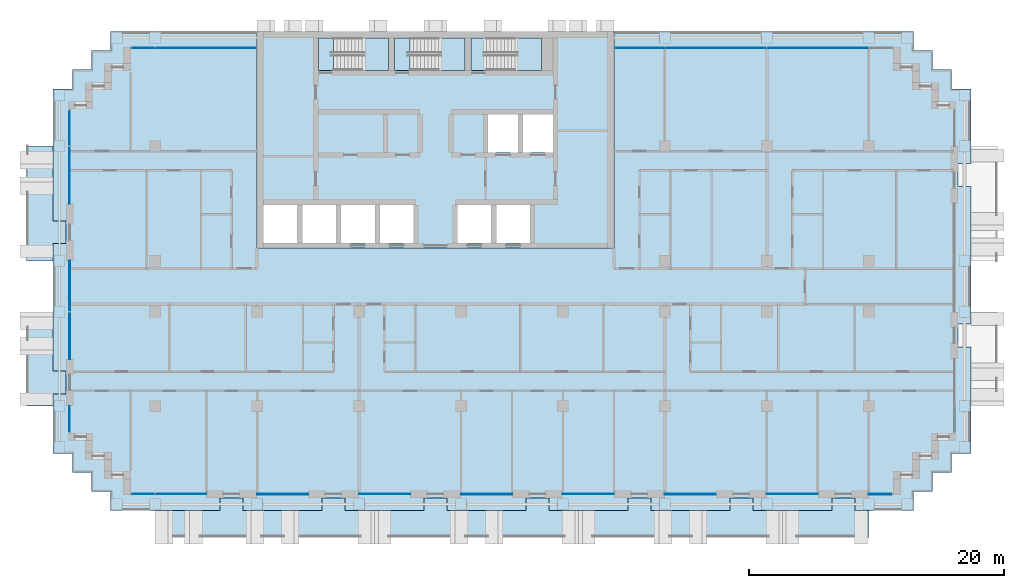
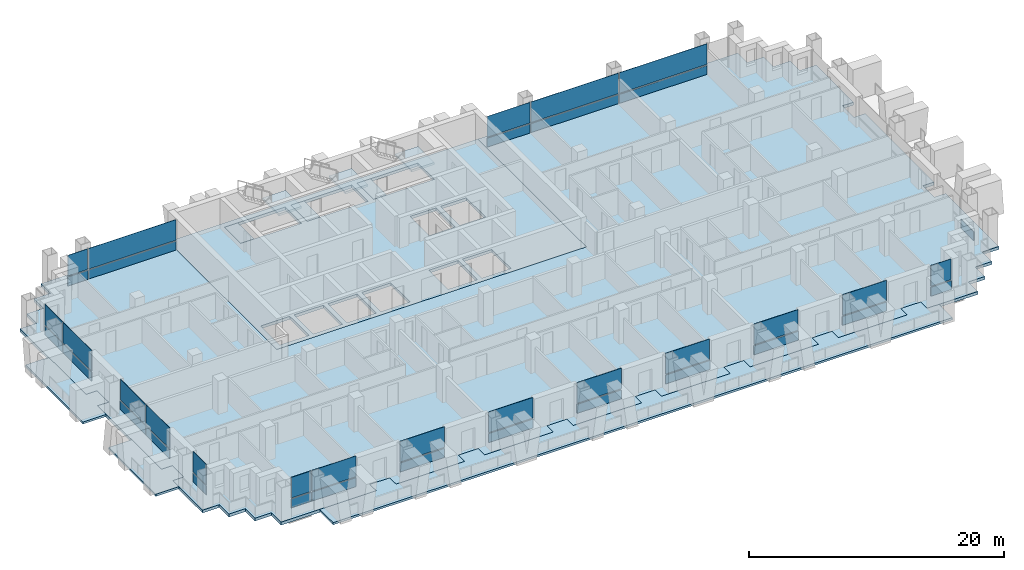
# One storey, part 7 of 17: 39 plates, 11 slabs, 17 elements without a shape of their own.
"""IFC4 building model written with IfcOpenShell, lengths in metres."""

from ifc_helpers import new_model, si_unit, direction, frame, origin, origin_2d, place, context, subcontext, project, spatial, polyline, rectangle, outline, extrude, material, layer, layer_set, type_object, element, aggregate, save


model = new_model("IFC4")

# Units and contexts
model_context = context("Model", 3, precision=1e-05, world=origin(), true_north=direction((0.0, 1.0)))
body_context = subcontext(model_context, "Body", "Model", "MODEL_VIEW")
ifc_project = project(units=[si_unit("LENGTHUNIT", "METRE"), si_unit("AREAUNIT", "SQUARE_METRE"), si_unit("VOLUMEUNIT", "CUBIC_METRE"), si_unit("PLANEANGLEUNIT", "RADIAN"), si_unit("MASSUNIT", "GRAM", prefix="KILO")], contexts=[model_context])

# Site, building, storey
site_placement = place(None, origin())
site = spatial("IfcSite", under=ifc_project, at=site_placement, CompositionType="ELEMENT")
building_placement = place(site_placement, origin())
building = spatial("IfcBuilding", under=site, at=building_placement, Name="Vidyagriha Tower", CompositionType="ELEMENT")
storey_placement = place(building_placement, frame((0.0, 0.0, 96.699951171875)))
storey = spatial("IfcBuildingStorey", under=building, at=storey_placement, Name="L25", CompositionType="ELEMENT", Elevation=96.699951171875)

# Curtain wall, plate
ifc_material_1 = material(Name="Aluminium and glass curtain wall", Category="aluminium")
curtain_wall_type = type_object("IfcCurtainWallType", Name="Dwelling skin unitised curtain wall", PredefinedType="USERDEFINED", material=ifc_material_1)
curtain_wall_1_placement = place(storey_placement, origin())
curtain_wall_1 = element("IfcCurtainWall", 1, at=curtain_wall_1_placement, inside=storey, type_object=curtain_wall_type, Name="CW1 dwelling skin", ObjectType="UNITISED", PredefinedType="USERDEFINED")
ifc_material_2 = material(Name="Glass dark ceramic-fritted spandrel", Category="glass")
ifc_layer_1 = layer(ifc_material_2, 0.0400390625)
ifc_layer_set_1 = layer_set([ifc_layer_1], Name="Glass dark ceramic-fritted spandrel")
plate_type_1 = type_object("IfcPlateType", Name="Ceramic-fritted spandrel panel", PredefinedType="CURTAIN_PANEL", material=ifc_layer_set_1)
plate_1_placement = place(storey_placement, frame((22.0, 18.699951171875, 0.0), z_axis=(0.0, 0.0, 1.0), x_axis=(-1.0, 0.0, 0.0)))
plate_1 = element("IfcPlate", 2, at=plate_1_placement, type_object=plate_type_1, Name="CW1 panel 3.1", PredefinedType="CURTAIN_PANEL", context=body_context, shape_type="SweptSolid", body=[
    extrude(rectangle(XDim=7.929931640625, YDim=0.0400390625, at=origin_2d()), origin(), (0.0, 0.0, 1.0), 0.85009765625),
])

curtain_wall_2_placement = place(storey_placement, origin())
curtain_wall_2 = element("IfcCurtainWall", 3, at=curtain_wall_2_placement, inside=storey, type_object=curtain_wall_type, Name="CW1 dwelling skin", ObjectType="UNITISED", PredefinedType="USERDEFINED")
plate_2_placement = place(storey_placement, frame((-18.017578125, 18.699951171875, 0.0), z_axis=(0.0, 0.0, 1.0), x_axis=(-1.0, 0.0, 0.0)))
plate_2 = element("IfcPlate", 4, at=plate_2_placement, type_object=plate_type_1, Name="CW1 panel 1.1", PredefinedType="CURTAIN_PANEL", context=body_context, shape_type="SweptSolid", body=[
    extrude(rectangle(XDim=7.89501953125, YDim=0.0400390625, at=origin_2d()), origin(), (0.0, 0.0, 1.0), 0.85009765625),
])

# Curtain wall, plates
curtain_wall_3_placement = place(storey_placement, origin())
curtain_wall_3 = element("IfcCurtainWall", 5, at=curtain_wall_3_placement, inside=storey, type_object=curtain_wall_type, Name="CW1 dwelling skin", ObjectType="UNITISED", PredefinedType="USERDEFINED")
plate_3_placement = place(storey_placement, frame((-28.699951171875, 12.4326171875, 0.0), z_axis=(0.0, 0.0, 1.0), x_axis=(0.0, -1.0, 0.0)))
plate_3 = element("IfcPlate", 6, at=plate_3_placement, type_object=plate_type_1, Name="CW1 panel 1.1", PredefinedType="CURTAIN_PANEL", context=body_context, shape_type="SweptSolid", body=[
    extrude(rectangle(XDim=2.794921875, YDim=0.0400390625, at=origin_2d()), origin(), (0.0, 0.0, 1.0), 0.85009765625),
])
plate_4_placement = place(storey_placement, frame((-28.699951171875, 8.732421875, 0.0), z_axis=(0.0, 0.0, 1.0), x_axis=(0.0, -1.0, 0.0)))
plate_4 = element("IfcPlate", 7, at=plate_4_placement, type_object=plate_type_1, Name="CW1 panel 2.1", PredefinedType="CURTAIN_PANEL", context=body_context, shape_type="SweptSolid", body=[
    extrude(rectangle(XDim=4.465087890625, YDim=0.0400390625, at=origin_2d()), origin(), (0.0, 0.0, 1.0), 0.85009765625),
])

# Curtain wall, plate
curtain_wall_4_placement = place(storey_placement, origin())
curtain_wall_4 = element("IfcCurtainWall", 8, at=curtain_wall_4_placement, inside=storey, type_object=curtain_wall_type, Name="CW1 dwelling skin", ObjectType="UNITISED", PredefinedType="USERDEFINED")
plate_5_placement = place(storey_placement, frame((-28.699951171875, -10.4150390625, 0.0), z_axis=(0.0, 0.0, 1.0), x_axis=(0.0, -1.0, 0.0)))
plate_5 = element("IfcPlate", 9, at=plate_5_placement, type_object=plate_type_1, Name="CW1 panel 1.1", PredefinedType="CURTAIN_PANEL", context=body_context, shape_type="SweptSolid", body=[
    extrude(rectangle(XDim=2.030029296875, YDim=0.0400390625, at=origin_2d()), origin(), (0.0, 0.0, 1.0), 0.85009765625),
])

# Curtain wall, plates
curtain_wall_5_placement = place(storey_placement, origin())
curtain_wall_5 = element("IfcCurtainWall", 10, at=curtain_wall_5_placement, inside=storey, type_object=curtain_wall_type, Name="CW1 dwelling skin", ObjectType="UNITISED", PredefinedType="USERDEFINED")
plate_6_placement = place(storey_placement, frame((-22.9326171875, -16.300048828125, 0.0)))
plate_6 = element("IfcPlate", 11, at=plate_6_placement, type_object=plate_type_1, Name="CW1 panel 1.1", PredefinedType="CURTAIN_PANEL", context=body_context, shape_type="SweptSolid", body=[
    extrude(rectangle(XDim=1.794921875, YDim=0.0400390625, at=origin_2d()), origin(), (0.0, 0.0, 1.0), 0.85009765625),
])
plate_7_placement = place(storey_placement, frame((-19.982421875, -16.300048828125, 0.0)))
plate_7 = element("IfcPlate", 12, at=plate_7_placement, type_object=plate_type_1, Name="CW1 panel 2.1", PredefinedType="CURTAIN_PANEL", context=body_context, shape_type="SweptSolid", body=[
    extrude(rectangle(XDim=3.965087890625, YDim=0.0400390625, at=origin_2d()), origin(), (0.0, 0.0, 1.0), 0.85009765625),
])

# Curtain wall, plate
curtain_wall_6_placement = place(storey_placement, origin())
curtain_wall_6 = element("IfcCurtainWall", 13, at=curtain_wall_6_placement, inside=storey, type_object=curtain_wall_type, Name="CW1 dwelling skin", ObjectType="UNITISED", PredefinedType="USERDEFINED")
plate_8_placement = place(storey_placement, frame((-4.0, -16.300048828125, 0.0)))
plate_8 = element("IfcPlate", 14, at=plate_8_placement, type_object=plate_type_1, Name="CW1 panel 1.1", PredefinedType="CURTAIN_PANEL", context=body_context, shape_type="SweptSolid", body=[
    extrude(rectangle(XDim=4.0, YDim=0.0400390625, at=origin_2d()), origin(), (0.0, 0.0, 1.0), 0.85009765625),
])

curtain_wall_7_placement = place(storey_placement, origin())
curtain_wall_7 = element("IfcCurtainWall", 15, at=curtain_wall_7_placement, inside=storey, type_object=curtain_wall_type, Name="CW1 dwelling skin", ObjectType="UNITISED", PredefinedType="USERDEFINED")
plate_9_placement = place(storey_placement, frame((12.0, -16.300048828125, 0.0)))
plate_9 = element("IfcPlate", 16, at=plate_9_placement, type_object=plate_type_1, Name="CW1 panel 1.1", PredefinedType="CURTAIN_PANEL", context=body_context, shape_type="SweptSolid", body=[
    extrude(rectangle(XDim=4.0, YDim=0.0400390625, at=origin_2d()), origin(), (0.0, 0.0, 1.0), 0.85009765625),
])

curtain_wall_8_placement = place(storey_placement, origin())
curtain_wall_8 = element("IfcCurtainWall", 17, at=curtain_wall_8_placement, inside=storey, type_object=curtain_wall_type, Name="CW1 dwelling skin", ObjectType="UNITISED", PredefinedType="USERDEFINED")
plate_10_placement = place(storey_placement, frame((28.0, -16.300048828125, 0.0)))
plate_10 = element("IfcPlate", 18, at=plate_10_placement, type_object=plate_type_1, Name="CW1 panel 1.1", PredefinedType="CURTAIN_PANEL", context=body_context, shape_type="SweptSolid", body=[
    extrude(rectangle(XDim=4.0, YDim=0.0400390625, at=origin_2d()), origin(), (0.0, 0.0, 1.0), 0.85009765625),
])

curtain_wall_9_placement = place(storey_placement, origin())
curtain_wall_9 = element("IfcCurtainWall", 19, at=curtain_wall_9_placement, inside=storey, type_object=curtain_wall_type, Name="CW1 dwelling skin", ObjectType="UNITISED", PredefinedType="USERDEFINED")
plate_11_placement = place(storey_placement, frame((40.699951171875, -10.4326171875, 0.0), z_axis=(0.0, 0.0, 1.0), x_axis=(0.0, 1.0, 0.0)))
plate_11 = element("IfcPlate", 20, at=plate_11_placement, type_object=plate_type_1, Name="CW1 panel 1.1", PredefinedType="CURTAIN_PANEL", context=body_context, shape_type="SweptSolid", body=[
    extrude(rectangle(XDim=1.9951171875, YDim=0.0400390625, at=origin_2d()), origin(), (0.0, 0.0, 1.0), 0.85009765625),
])
aggregate(curtain_wall_9, [plate_11])

# Slab
ifc_material_3 = material(Name="Concrete C60/75", Category="concrete")
ifc_layer_2 = layer(ifc_material_3, 0.280029296875)
ifc_layer_set_2 = layer_set([ifc_layer_2], Name="Concrete C60/75")
slab_type_1 = type_object("IfcSlabType", Name="Core floor slab 280 mm", PredefinedType="FLOOR", material=ifc_layer_set_2)
slab_1_placement = place(storey_placement, frame((0.0, 0.0, -0.280029296875)))
element("IfcSlab", 21, at=slab_1_placement, inside=storey, type_object=slab_type_1, Name="L25 core floor 1", PredefinedType="FLOOR", context=body_context, shape_type="SweptSolid", body=[
    extrude(outline(polyline([(-14.0, 3.0), (-14.0, 20.0), (14.0, 20.0), (14.0, 3.0), (-14.0, 3.0)]), holes=[polyline([(9.199951171875, 13.5), (6.86669921875, 13.5), (6.86669921875, 10.5), (9.199951171875, 10.5), (9.199951171875, 13.5)]), polyline([(4.0, 19.5), (2.800048828125, 19.5), (2.800048828125, 16.949951171875), (4.0, 16.949951171875), (8.300048828125, 16.949951171875), (8.300048828125, 19.5), (4.0, 19.5)]), polyline([(7.4111328125, 6.39990234375), (4.7666015625, 6.39990234375), (4.7666015625, 3.39990234375), (7.4111328125, 3.39990234375), (7.4111328125, 6.39990234375)]), polyline([(6.466796875, 13.5), (4.13330078125, 13.5), (4.13330078125, 10.5), (6.466796875, 10.5), (6.466796875, 13.5)]), polyline([(1.72216796875, 6.39990234375), (1.72216796875, 3.39990234375), (4.36669921875, 3.39990234375), (4.36669921875, 6.39990234375), (1.72216796875, 6.39990234375)]), polyline([(-2.0, 16.949951171875), (2.300048828125, 16.949951171875), (2.300048828125, 19.5), (-2.0, 19.5), (-3.199951171875, 19.5), (-3.199951171875, 16.949951171875), (-2.0, 16.949951171875)]), polyline([(-1.72216796875, 6.39990234375), (-4.36669921875, 6.39990234375), (-4.36669921875, 3.39990234375), (-1.72216796875, 3.39990234375), (-1.72216796875, 6.39990234375)]), polyline([(-8.0, 19.5), (-9.199951171875, 19.5), (-9.199951171875, 16.949951171875), (-8.0, 16.949951171875), (-3.699951171875, 16.949951171875), (-3.699951171875, 19.5), (-8.0, 19.5)]), polyline([(-4.7666015625, 6.39990234375), (-7.4111328125, 6.39990234375), (-7.4111328125, 3.39990234375), (-4.7666015625, 3.39990234375), (-4.7666015625, 6.39990234375)]), polyline([(-7.81103515625, 6.39990234375), (-10.45556640625, 6.39990234375), (-10.45556640625, 3.39990234375), (-7.81103515625, 3.39990234375), (-7.81103515625, 6.39990234375)]), polyline([(-13.5, 6.39990234375), (-13.5, 3.39990234375), (-10.855712890625, 3.39990234375), (-10.855712890625, 6.39990234375), (-13.5, 6.39990234375)])]), origin(), (0.0, 0.0, 1.0), 0.280029296875),
])

# Plate
ifc_material_4 = material(Name="Glass dark ceramic-fritted", Category="glass")
ifc_layer_3 = layer(ifc_material_4, 0.028076171875)
ifc_layer_set_3 = layer_set([ifc_layer_3], Name="Glass dark ceramic-fritted")
plate_type_2 = type_object("IfcPlateType", Name="Dark ceramic-fritted vision glass panel", PredefinedType="CURTAIN_PANEL", material=ifc_layer_set_3)
plate_12_placement = place(storey_placement, frame((30.0, 18.699951171875, 0.9501953125), z_axis=(0.0, 0.0, 1.0), x_axis=(-1.0, 0.0, 0.0)))
plate_12 = element("IfcPlate", 22, at=plate_12_placement, type_object=plate_type_2, Name="CW1 panel 2.2", PredefinedType="CURTAIN_PANEL", context=body_context, shape_type="SweptSolid", body=[
    extrude(rectangle(XDim=7.929931640625, YDim=0.028076171875, at=origin_2d()), origin(), (0.0, 0.0, 1.0), 1.969970703125),
])

plate_13_placement = place(storey_placement, frame((22.0, 18.699951171875, 0.9501953125), z_axis=(0.0, 0.0, 1.0), x_axis=(-1.0, 0.0, 0.0)))
plate_13 = element("IfcPlate", 23, at=plate_13_placement, type_object=plate_type_2, Name="CW1 panel 3.2", PredefinedType="CURTAIN_PANEL", context=body_context, shape_type="SweptSolid", body=[
    extrude(rectangle(XDim=7.929931640625, YDim=0.028076171875, at=origin_2d()), origin(), (0.0, 0.0, 1.0), 1.969970703125),
])

plate_14_placement = place(storey_placement, frame((16.017578125, 18.699951171875, 0.9501953125), z_axis=(0.0, 0.0, 1.0), x_axis=(-1.0, 0.0, 0.0)))
plate_14 = element("IfcPlate", 24, at=plate_14_placement, type_object=plate_type_2, Name="CW1 panel 4.2", PredefinedType="CURTAIN_PANEL", context=body_context, shape_type="SweptSolid", body=[
    extrude(rectangle(XDim=3.89501953125, YDim=0.028076171875, at=origin_2d()), origin(), (0.0, 0.0, 1.0), 1.969970703125),
])

plate_15_placement = place(storey_placement, frame((-18.017578125, 18.699951171875, 0.9501953125), z_axis=(0.0, 0.0, 1.0), x_axis=(-1.0, 0.0, 0.0)))
plate_15 = element("IfcPlate", 25, at=plate_15_placement, type_object=plate_type_2, Name="CW1 panel 1.2", PredefinedType="CURTAIN_PANEL", context=body_context, shape_type="SweptSolid", body=[
    extrude(rectangle(XDim=7.89501953125, YDim=0.028076171875, at=origin_2d()), origin(), (0.0, 0.0, 1.0), 1.969970703125),
])

plate_16_placement = place(storey_placement, frame((-22.9326171875, 18.699951171875, 0.9501953125), z_axis=(0.0, 0.0, 1.0), x_axis=(-1.0, 0.0, 0.0)))
plate_16 = element("IfcPlate", 26, at=plate_16_placement, type_object=plate_type_2, Name="CW1 panel 2.2", PredefinedType="CURTAIN_PANEL", context=body_context, shape_type="SweptSolid", body=[
    extrude(rectangle(XDim=1.794921875, YDim=0.028076171875, at=origin_2d()), origin(), (0.0, 0.0, 1.0), 1.969970703125),
])

plate_17_placement = place(storey_placement, frame((-28.699951171875, 12.4326171875, 0.9501953125), z_axis=(0.0, 0.0, 1.0), x_axis=(0.0, -1.0, 0.0)))
plate_17 = element("IfcPlate", 27, at=plate_17_placement, type_object=plate_type_2, Name="CW1 panel 1.2", PredefinedType="CURTAIN_PANEL", context=body_context, shape_type="SweptSolid", body=[
    extrude(rectangle(XDim=2.794921875, YDim=0.028076171875, at=origin_2d()), origin(), (0.0, 0.0, 1.0), 1.969970703125),
])

plate_18_placement = place(storey_placement, frame((-28.699951171875, 8.732421875, 0.9501953125), z_axis=(0.0, 0.0, 1.0), x_axis=(0.0, -1.0, 0.0)))
plate_18 = element("IfcPlate", 28, at=plate_18_placement, type_object=plate_type_2, Name="CW1 panel 2.2", PredefinedType="CURTAIN_PANEL", context=body_context, shape_type="SweptSolid", body=[
    extrude(rectangle(XDim=4.465087890625, YDim=0.028076171875, at=origin_2d()), origin(), (0.0, 0.0, 1.0), 1.969970703125),
])

aggregate(curtain_wall_3, [plate_3, plate_17, plate_4, plate_18])

# Curtain wall, plates
curtain_wall_10_placement = place(storey_placement, origin())
curtain_wall_10 = element("IfcCurtainWall", 29, at=curtain_wall_10_placement, inside=storey, type_object=curtain_wall_type, Name="CW1 dwelling skin", ObjectType="UNITISED", PredefinedType="USERDEFINED")
plate_19_placement = place(storey_placement, frame((-28.699951171875, 0.017578125, 0.9501953125), z_axis=(0.0, 0.0, 1.0), x_axis=(0.0, -1.0, 0.0)))
plate_19 = element("IfcPlate", 30, at=plate_19_placement, type_object=plate_type_2, Name="CW1 panel 1.2", PredefinedType="CURTAIN_PANEL", context=body_context, shape_type="SweptSolid", body=[
    extrude(rectangle(XDim=3.965087890625, YDim=0.028076171875, at=origin_2d()), origin(), (0.0, 0.0, 1.0), 1.969970703125),
])
plate_20_placement = place(storey_placement, frame((-28.699951171875, -3.867431640625, 0.9501953125), z_axis=(0.0, 0.0, 1.0), x_axis=(0.0, -1.0, 0.0)))
plate_20 = element("IfcPlate", 31, at=plate_20_placement, type_object=plate_type_2, Name="CW1 panel 2.2", PredefinedType="CURTAIN_PANEL", context=body_context, shape_type="SweptSolid", body=[
    extrude(rectangle(XDim=3.6650390625, YDim=0.028076171875, at=origin_2d()), origin(), (0.0, 0.0, 1.0), 1.969970703125),
])

# Plate
plate_21_placement = place(storey_placement, frame((-28.699951171875, -10.4150390625, 0.9501953125), z_axis=(0.0, 0.0, 1.0), x_axis=(0.0, -1.0, 0.0)))
plate_21 = element("IfcPlate", 32, at=plate_21_placement, type_object=plate_type_2, Name="CW1 panel 1.2", PredefinedType="CURTAIN_PANEL", context=body_context, shape_type="SweptSolid", body=[
    extrude(rectangle(XDim=2.030029296875, YDim=0.028076171875, at=origin_2d()), origin(), (0.0, 0.0, 1.0), 1.969970703125),
])

aggregate(curtain_wall_4, [plate_5, plate_21])

plate_22_placement = place(storey_placement, frame((-22.9326171875, -16.300048828125, 0.9501953125)))
plate_22 = element("IfcPlate", 33, at=plate_22_placement, type_object=plate_type_2, Name="CW1 panel 1.2", PredefinedType="CURTAIN_PANEL", context=body_context, shape_type="SweptSolid", body=[
    extrude(rectangle(XDim=1.794921875, YDim=0.028076171875, at=origin_2d()), origin(), (0.0, 0.0, 1.0), 1.969970703125),
])

plate_23_placement = place(storey_placement, frame((-19.982421875, -16.300048828125, 0.9501953125)))
plate_23 = element("IfcPlate", 34, at=plate_23_placement, type_object=plate_type_2, Name="CW1 panel 2.2", PredefinedType="CURTAIN_PANEL", context=body_context, shape_type="SweptSolid", body=[
    extrude(rectangle(XDim=3.965087890625, YDim=0.028076171875, at=origin_2d()), origin(), (0.0, 0.0, 1.0), 1.969970703125),
])

aggregate(curtain_wall_5, [plate_6, plate_22, plate_7, plate_23])

# Curtain wall, plate
curtain_wall_11_placement = place(storey_placement, origin())
curtain_wall_11 = element("IfcCurtainWall", 35, at=curtain_wall_11_placement, inside=storey, type_object=curtain_wall_type, Name="CW1 dwelling skin", ObjectType="UNITISED", PredefinedType="USERDEFINED")
plate_24_placement = place(storey_placement, frame((-12.0, -16.300048828125, 0.9501953125)))
plate_24 = element("IfcPlate", 36, at=plate_24_placement, type_object=plate_type_2, Name="CW1 panel 1.2", PredefinedType="CURTAIN_PANEL", context=body_context, shape_type="SweptSolid", body=[
    extrude(rectangle(XDim=4.0, YDim=0.028076171875, at=origin_2d()), origin(), (0.0, 0.0, 1.0), 1.969970703125),
])

# Plate
plate_25_placement = place(storey_placement, frame((-4.0, -16.300048828125, 0.9501953125)))
plate_25 = element("IfcPlate", 37, at=plate_25_placement, type_object=plate_type_2, Name="CW1 panel 1.2", PredefinedType="CURTAIN_PANEL", context=body_context, shape_type="SweptSolid", body=[
    extrude(rectangle(XDim=4.0, YDim=0.028076171875, at=origin_2d()), origin(), (0.0, 0.0, 1.0), 1.969970703125),
])

aggregate(curtain_wall_6, [plate_8, plate_25])

# Curtain wall, plate
curtain_wall_12_placement = place(storey_placement, origin())
curtain_wall_12 = element("IfcCurtainWall", 38, at=curtain_wall_12_placement, inside=storey, type_object=curtain_wall_type, Name="CW1 dwelling skin", ObjectType="UNITISED", PredefinedType="USERDEFINED")
plate_26_placement = place(storey_placement, frame((4.0, -16.300048828125, 0.9501953125)))
plate_26 = element("IfcPlate", 39, at=plate_26_placement, type_object=plate_type_2, Name="CW1 panel 1.2", PredefinedType="CURTAIN_PANEL", context=body_context, shape_type="SweptSolid", body=[
    extrude(rectangle(XDim=4.0, YDim=0.028076171875, at=origin_2d()), origin(), (0.0, 0.0, 1.0), 1.969970703125),
])

# Plate
plate_27_placement = place(storey_placement, frame((12.0, -16.300048828125, 0.9501953125)))
plate_27 = element("IfcPlate", 40, at=plate_27_placement, type_object=plate_type_2, Name="CW1 panel 1.2", PredefinedType="CURTAIN_PANEL", context=body_context, shape_type="SweptSolid", body=[
    extrude(rectangle(XDim=4.0, YDim=0.028076171875, at=origin_2d()), origin(), (0.0, 0.0, 1.0), 1.969970703125),
])

aggregate(curtain_wall_7, [plate_9, plate_27])

# Curtain wall, plate
curtain_wall_13_placement = place(storey_placement, origin())
curtain_wall_13 = element("IfcCurtainWall", 41, at=curtain_wall_13_placement, inside=storey, type_object=curtain_wall_type, Name="CW1 dwelling skin", ObjectType="UNITISED", PredefinedType="USERDEFINED")
plate_28_placement = place(storey_placement, frame((20.0, -16.300048828125, 0.9501953125)))
plate_28 = element("IfcPlate", 42, at=plate_28_placement, type_object=plate_type_2, Name="CW1 panel 1.2", PredefinedType="CURTAIN_PANEL", context=body_context, shape_type="SweptSolid", body=[
    extrude(rectangle(XDim=4.0, YDim=0.028076171875, at=origin_2d()), origin(), (0.0, 0.0, 1.0), 1.969970703125),
])

# Plate
plate_29_placement = place(storey_placement, frame((28.0, -16.300048828125, 0.9501953125)))
plate_29 = element("IfcPlate", 43, at=plate_29_placement, type_object=plate_type_2, Name="CW1 panel 1.2", PredefinedType="CURTAIN_PANEL", context=body_context, shape_type="SweptSolid", body=[
    extrude(rectangle(XDim=4.0, YDim=0.028076171875, at=origin_2d()), origin(), (0.0, 0.0, 1.0), 1.969970703125),
])

aggregate(curtain_wall_8, [plate_10, plate_29])

# Curtain wall, plate
curtain_wall_14_placement = place(storey_placement, origin())
curtain_wall_14 = element("IfcCurtainWall", 44, at=curtain_wall_14_placement, inside=storey, type_object=curtain_wall_type, Name="CW1 dwelling skin", ObjectType="UNITISED", PredefinedType="USERDEFINED")
plate_30_placement = place(storey_placement, frame((34.9150390625, -16.300048828125, 0.9501953125)))
plate_30 = element("IfcPlate", 45, at=plate_30_placement, type_object=plate_type_2, Name="CW1 panel 1.2", PredefinedType="CURTAIN_PANEL", context=body_context, shape_type="SweptSolid", body=[
    extrude(rectangle(XDim=1.830078125, YDim=0.028076171875, at=origin_2d()), origin(), (0.0, 0.0, 1.0), 1.969970703125),
])

# Slabs
ifc_material_5 = material(Name="Concrete C40/50", Category="concrete")
ifc_layer_4 = layer(ifc_material_5, 0.280029296875)
ifc_layer_set_4 = layer_set([ifc_layer_4], Name="Concrete C40/50")
slab_type_2 = type_object("IfcSlabType", Name="Exit stair floor landing 280 mm", PredefinedType="LANDING", material=ifc_layer_set_4)
slab_2_placement = place(storey_placement, frame((0.0, 0.0, -0.280029296875)))
element("IfcSlab", 46, at=slab_2_placement, inside=storey, type_object=slab_type_2, Name="ST1 floor landing L25", PredefinedType="LANDING", context=body_context, shape_type="SweptSolid", body=[
    extrude(outline(polyline([(-9.199951171875, 16.949951171875), (-8.0, 16.949951171875), (-8.0, 19.5), (-9.199951171875, 19.5), (-9.199951171875, 16.949951171875)])), origin(), (0.0, 0.0, 1.0), 0.280029296875),
])
slab_3_placement = place(storey_placement, frame((0.0, 0.0, -0.280029296875)))
element("IfcSlab", 47, at=slab_3_placement, inside=storey, type_object=slab_type_2, Name="ST2 floor landing L25", PredefinedType="LANDING", context=body_context, shape_type="SweptSolid", body=[
    extrude(outline(polyline([(-3.199951171875, 16.949951171875), (-2.0, 16.949951171875), (-2.0, 19.5), (-3.199951171875, 19.5), (-3.199951171875, 16.949951171875)])), origin(), (0.0, 0.0, 1.0), 0.280029296875),
])
slab_4_placement = place(storey_placement, frame((0.0, 0.0, -0.280029296875)))
element("IfcSlab", 48, at=slab_4_placement, inside=storey, type_object=slab_type_2, Name="ST3 floor landing L25", PredefinedType="LANDING", context=body_context, shape_type="SweptSolid", body=[
    extrude(outline(polyline([(2.800048828125, 16.949951171875), (4.0, 16.949951171875), (4.0, 19.5), (2.800048828125, 19.5), (2.800048828125, 16.949951171875)])), origin(), (0.0, 0.0, 1.0), 0.280029296875),
])

# Stair, slab
ifc_material_6 = material(Name="Concrete C40/50", Category="concrete")
stair_type = type_object("IfcStairType", Name="Exit stair, half-turn, precast flights", PredefinedType="HALF_TURN_STAIR", material=ifc_material_6)
stair_1_placement = place(storey_placement, origin())
stair_1 = element("IfcStair", 49, at=stair_1_placement, inside=storey, type_object=stair_type, Name="L25 Exit Stair ST1", PredefinedType="HALF_TURN_STAIR")
ifc_material_7 = material(Name="Concrete C40/50", Category="concrete")
ifc_layer_5 = layer(ifc_material_7, 0.199951171875)
ifc_layer_set_5 = layer_set([ifc_layer_5], Name="Concrete C40/50")
slab_type_3 = type_object("IfcSlabType", Name="Exit stair landing 200 mm", PredefinedType="LANDING", material=ifc_layer_set_5)
slab_5_placement = place(storey_placement, frame((0.0, 0.0, 1.400146484375)))
slab_5 = element("IfcSlab", 50, at=slab_5_placement, type_object=slab_type_3, Name="ST1 landing 1", PredefinedType="LANDING", context=body_context, shape_type="SweptSolid", body=[
    extrude(outline(polyline([(-5.760009765625, 16.949951171875), (-3.699951171875, 16.949951171875), (-3.699951171875, 19.5), (-5.760009765625, 19.5), (-5.760009765625, 16.949951171875)])), origin(), (0.0, 0.0, 1.0), 0.199951171875),
])
aggregate(stair_1, [slab_5])

stair_2_placement = place(storey_placement, origin())
stair_2 = element("IfcStair", 51, at=stair_2_placement, inside=storey, type_object=stair_type, Name="L25 Exit Stair ST2", PredefinedType="HALF_TURN_STAIR")
slab_6_placement = place(storey_placement, frame((0.0, 0.0, 1.400146484375)))
slab_6 = element("IfcSlab", 52, at=slab_6_placement, type_object=slab_type_3, Name="ST2 landing 1", PredefinedType="LANDING", context=body_context, shape_type="SweptSolid", body=[
    extrude(outline(polyline([(0.239990234375, 16.949951171875), (2.300048828125, 16.949951171875), (2.300048828125, 19.5), (0.239990234375, 19.5), (0.239990234375, 16.949951171875)])), origin(), (0.0, 0.0, 1.0), 0.199951171875),
])
aggregate(stair_2, [slab_6])

stair_3_placement = place(storey_placement, origin())
stair_3 = element("IfcStair", 53, at=stair_3_placement, inside=storey, type_object=stair_type, Name="L25 Exit Stair ST3", PredefinedType="HALF_TURN_STAIR")
slab_7_placement = place(storey_placement, frame((0.0, 0.0, 1.400146484375)))
slab_7 = element("IfcSlab", 54, at=slab_7_placement, type_object=slab_type_3, Name="ST3 landing 1", PredefinedType="LANDING", context=body_context, shape_type="SweptSolid", body=[
    extrude(outline(polyline([(6.239990234375, 16.949951171875), (8.300048828125, 16.949951171875), (8.300048828125, 19.5), (6.239990234375, 19.5), (6.239990234375, 16.949951171875)])), origin(), (0.0, 0.0, 1.0), 0.199951171875),
])
aggregate(stair_3, [slab_7])

# Plate
ifc_material_8 = material(Name="Aluminium black anodised", Category="aluminium")
ifc_layer_6 = layer(ifc_material_8, 0.06005859375)
ifc_layer_set_6 = layer_set([ifc_layer_6], Name="Aluminium black anodised")
plate_type_3 = type_object("IfcPlateType", Name="Operable black-metal vent panel", PredefinedType="CURTAIN_PANEL", material=ifc_layer_set_6)
plate_31_placement = place(storey_placement, frame((30.0, 18.699951171875, 0.0), z_axis=(0.0, 0.0, 1.0), x_axis=(-1.0, 0.0, 0.0)))
plate_31 = element("IfcPlate", 55, at=plate_31_placement, type_object=plate_type_3, Name="CW1 panel 2.1", PredefinedType="CURTAIN_PANEL", context=body_context, shape_type="SweptSolid", body=[
    extrude(rectangle(XDim=7.929931640625, YDim=0.06005859375, at=origin_2d()), origin(), (0.0, 0.0, 1.0), 0.85009765625),
])

plate_32_placement = place(storey_placement, frame((16.017578125, 18.699951171875, 0.0), z_axis=(0.0, 0.0, 1.0), x_axis=(-1.0, 0.0, 0.0)))
plate_32 = element("IfcPlate", 56, at=plate_32_placement, type_object=plate_type_3, Name="CW1 panel 4.1", PredefinedType="CURTAIN_PANEL", context=body_context, shape_type="SweptSolid", body=[
    extrude(rectangle(XDim=3.89501953125, YDim=0.06005859375, at=origin_2d()), origin(), (0.0, 0.0, 1.0), 0.85009765625),
])

aggregate(curtain_wall_1, [plate_31, plate_12, plate_1, plate_13, plate_32, plate_14])

plate_33_placement = place(storey_placement, frame((-22.9326171875, 18.699951171875, 0.0), z_axis=(0.0, 0.0, 1.0), x_axis=(-1.0, 0.0, 0.0)))
plate_33 = element("IfcPlate", 57, at=plate_33_placement, type_object=plate_type_3, Name="CW1 panel 2.1", PredefinedType="CURTAIN_PANEL", context=body_context, shape_type="SweptSolid", body=[
    extrude(rectangle(XDim=1.794921875, YDim=0.06005859375, at=origin_2d()), origin(), (0.0, 0.0, 1.0), 0.85009765625),
])

aggregate(curtain_wall_2, [plate_2, plate_15, plate_33, plate_16])

plate_34_placement = place(storey_placement, frame((-28.699951171875, 0.017578125, 0.0), z_axis=(0.0, 0.0, 1.0), x_axis=(0.0, -1.0, 0.0)))
plate_34 = element("IfcPlate", 58, at=plate_34_placement, type_object=plate_type_3, Name="CW1 panel 1.1", PredefinedType="CURTAIN_PANEL", context=body_context, shape_type="SweptSolid", body=[
    extrude(rectangle(XDim=3.965087890625, YDim=0.06005859375, at=origin_2d()), origin(), (0.0, 0.0, 1.0), 0.85009765625),
])

plate_35_placement = place(storey_placement, frame((-28.699951171875, -3.867431640625, 0.0), z_axis=(0.0, 0.0, 1.0), x_axis=(0.0, -1.0, 0.0)))
plate_35 = element("IfcPlate", 59, at=plate_35_placement, type_object=plate_type_3, Name="CW1 panel 2.1", PredefinedType="CURTAIN_PANEL", context=body_context, shape_type="SweptSolid", body=[
    extrude(rectangle(XDim=3.6650390625, YDim=0.06005859375, at=origin_2d()), origin(), (0.0, 0.0, 1.0), 0.85009765625),
])

aggregate(curtain_wall_10, [plate_34, plate_19, plate_35, plate_20])

plate_36_placement = place(storey_placement, frame((-12.0, -16.300048828125, 0.0)))
plate_36 = element("IfcPlate", 60, at=plate_36_placement, type_object=plate_type_3, Name="CW1 panel 1.1", PredefinedType="CURTAIN_PANEL", context=body_context, shape_type="SweptSolid", body=[
    extrude(rectangle(XDim=4.0, YDim=0.06005859375, at=origin_2d()), origin(), (0.0, 0.0, 1.0), 0.85009765625),
])

aggregate(curtain_wall_11, [plate_36, plate_24])

plate_37_placement = place(storey_placement, frame((4.0, -16.300048828125, 0.0)))
plate_37 = element("IfcPlate", 61, at=plate_37_placement, type_object=plate_type_3, Name="CW1 panel 1.1", PredefinedType="CURTAIN_PANEL", context=body_context, shape_type="SweptSolid", body=[
    extrude(rectangle(XDim=4.0, YDim=0.06005859375, at=origin_2d()), origin(), (0.0, 0.0, 1.0), 0.85009765625),
])

aggregate(curtain_wall_12, [plate_37, plate_26])

plate_38_placement = place(storey_placement, frame((20.0, -16.300048828125, 0.0)))
plate_38 = element("IfcPlate", 62, at=plate_38_placement, type_object=plate_type_3, Name="CW1 panel 1.1", PredefinedType="CURTAIN_PANEL", context=body_context, shape_type="SweptSolid", body=[
    extrude(rectangle(XDim=4.0, YDim=0.06005859375, at=origin_2d()), origin(), (0.0, 0.0, 1.0), 0.85009765625),
])

aggregate(curtain_wall_13, [plate_38, plate_28])

plate_39_placement = place(storey_placement, frame((34.9150390625, -16.300048828125, 0.0)))
plate_39 = element("IfcPlate", 63, at=plate_39_placement, type_object=plate_type_3, Name="CW1 panel 1.1", PredefinedType="CURTAIN_PANEL", context=body_context, shape_type="SweptSolid", body=[
    extrude(rectangle(XDim=1.830078125, YDim=0.06005859375, at=origin_2d()), origin(), (0.0, 0.0, 1.0), 0.85009765625),
])

aggregate(curtain_wall_14, [plate_39, plate_30])

# Slabs
ifc_material_9 = material(Name="Concrete C50/60", Category="concrete")
ifc_layer_7 = layer(ifc_material_9, 0.280029296875)
ifc_layer_set_7 = layer_set([ifc_layer_7], Name="Concrete C50/60")
slab_type_4 = type_object("IfcSlabType", Name="Post-tensioned flat plate 280", PredefinedType="FLOOR", material=ifc_layer_set_7)
slab_8_placement = place(storey_placement, frame((0.0, 0.0, -0.280029296875)))
element("IfcSlab", 64, at=slab_8_placement, inside=storey, type_object=slab_type_4, Name="st-slab-L25-1", PredefinedType="FLOOR", context=body_context, shape_type="SweptSolid", body=[
    extrude(outline(polyline([(40.5, -14.60009765625), (39.0, -14.60009765625), (39.0, -16.10009765625), (37.5, -16.10009765625), (37.5, -17.60009765625), (32.89990234375, -17.60009765625), (32.89990234375, -16.60009765625), (31.10009765625, -16.60009765625), (31.10009765625, -17.60009765625), (24.89990234375, -17.60009765625), (24.89990234375, -16.60009765625), (23.10009765625, -16.60009765625), (23.10009765625, -17.60009765625), (16.89990234375, -17.60009765625), (16.89990234375, -16.60009765625), (15.10009765625, -16.60009765625), (15.10009765625, -17.60009765625), (8.89990234375, -17.60009765625), (8.89990234375, -16.60009765625), (7.10009765625, -16.60009765625), (7.10009765625, -17.60009765625), (0.89990234375, -17.60009765625), (0.89990234375, -16.60009765625), (-0.89990234375, -16.60009765625), (-0.89990234375, -17.60009765625), (-7.10009765625, -17.60009765625), (-7.10009765625, -16.60009765625), (-8.89990234375, -16.60009765625), (-8.89990234375, -17.60009765625), (-15.10009765625, -17.60009765625), (-15.10009765625, -16.60009765625), (-16.89990234375, -16.60009765625), (-16.89990234375, -17.60009765625), (-25.5, -17.60009765625), (-25.5, -16.10009765625), (-27.0, -16.10009765625), (-27.0, -14.60009765625), (-28.5, -14.60009765625), (-28.5, -13.10009765625), (-30.0, -13.10009765625), (-30.0, -8.449951171875), (-29.0, -8.449951171875), (-29.0, -6.64990234375), (-30.0, -6.64990234375), (-30.0, 3.35009765625), (-29.0, 3.35009765625), (-29.0, 5.14990234375), (-30.0, 5.14990234375), (-30.0, 15.5), (-28.5, 15.5), (-28.5, 17.0), (-27.0, 17.0), (-27.0, 18.5), (-25.5, 18.5), (-25.5, 20.0), (-14.0, 20.0), (-14.0, 3.0), (14.0, 3.0), (14.0, 20.0), (37.5, 20.0), (37.5, 18.5), (39.0, 18.5), (39.0, 17.0), (40.5, 17.0), (40.5, 15.5), (42.0, 15.5), (42.0, 9.64990234375), (41.0, 9.64990234375), (41.0, 7.85009765625), (42.0, 7.85009765625), (42.0, -2.949951171875), (41.0, -2.949951171875), (41.0, -4.75), (42.0, -4.75), (42.0, -13.10009765625), (40.5, -13.10009765625), (40.5, -14.60009765625)])), origin(), (0.0, 0.0, 1.0), 0.280029296875),
])
ifc_material_10 = material(Name="Precast concrete C40/50", Category="concrete")
ifc_layer_8 = layer(ifc_material_10, 0.199951171875)
ifc_layer_set_8 = layer_set([ifc_layer_8], Name="Precast concrete C40/50")
slab_type_5 = type_object("IfcSlabType", Name="Precast balcony slab 200", PredefinedType="USERDEFINED", material=ifc_layer_set_8)
slab_9_placement = place(storey_placement, frame((0.0, 0.0, -0.199951171875)))
element("IfcSlab", 65, at=slab_9_placement, inside=storey, type_object=slab_type_5, Name="Balcony slab L25 R16.1-1", ObjectType="BALCONY", PredefinedType="USERDEFINED", context=body_context, shape_type="SweptSolid", body=[
    extrude(outline(polyline([(-29.0, 3.35009765625), (-29.0, 5.14990234375), (-30.0, 5.14990234375), (-30.0, 11.0), (-32.10009765625, 11.0), (-32.10009765625, 2.0), (-30.0, 2.0), (-30.0, 3.35009765625), (-29.0, 3.35009765625)])), origin(), (0.0, 0.0, 1.0), 0.199951171875),
])
slab_10_placement = place(storey_placement, frame((0.0, 0.0, -0.199951171875)))
element("IfcSlab", 66, at=slab_10_placement, inside=storey, type_object=slab_type_5, Name="Balcony slab L25 R16.2-2", ObjectType="BALCONY", PredefinedType="USERDEFINED", context=body_context, shape_type="SweptSolid", body=[
    extrude(outline(polyline([(-29.0, -8.449951171875), (-29.0, -6.64990234375), (-30.0, -6.64990234375), (-30.0, -2.0), (-32.10009765625, -2.0), (-32.10009765625, -9.39990234375), (-30.0, -9.39990234375), (-30.0, -8.449951171875), (-29.0, -8.449951171875)])), origin(), (0.0, 0.0, 1.0), 0.199951171875),
])
slab_11_placement = place(storey_placement, frame((0.0, 0.0, -0.199951171875)))
element("IfcSlab", 67, at=slab_11_placement, inside=storey, type_object=slab_type_5, Name="Balcony slab L25 R23.1-7", ObjectType="BALCONY", PredefinedType="USERDEFINED", context=body_context, shape_type="SweptSolid", body=[
    extrude(outline(polyline([(-15.10009765625, -16.60009765625), (-16.89990234375, -16.60009765625), (-16.89990234375, -17.60009765625), (-22.0, -17.60009765625), (-22.0, -19.699951171875), (34.0, -19.699951171875), (34.0, -17.60009765625), (32.89990234375, -17.60009765625), (32.89990234375, -16.60009765625), (31.10009765625, -16.60009765625), (31.10009765625, -17.60009765625), (24.89990234375, -17.60009765625), (24.89990234375, -16.60009765625), (23.10009765625, -16.60009765625), (23.10009765625, -17.60009765625), (16.89990234375, -17.60009765625), (16.89990234375, -16.60009765625), (15.10009765625, -16.60009765625), (15.10009765625, -17.60009765625), (8.89990234375, -17.60009765625), (8.89990234375, -16.60009765625), (7.10009765625, -16.60009765625), (7.10009765625, -17.60009765625), (0.89990234375, -17.60009765625), (0.89990234375, -16.60009765625), (-0.89990234375, -16.60009765625), (-0.89990234375, -17.60009765625), (-7.10009765625, -17.60009765625), (-7.10009765625, -16.60009765625), (-8.89990234375, -16.60009765625), (-8.89990234375, -17.60009765625), (-15.10009765625, -17.60009765625), (-15.10009765625, -16.60009765625)])), origin(), (0.0, 0.0, 1.0), 0.199951171875),
])

save(model, "model.ifc")
